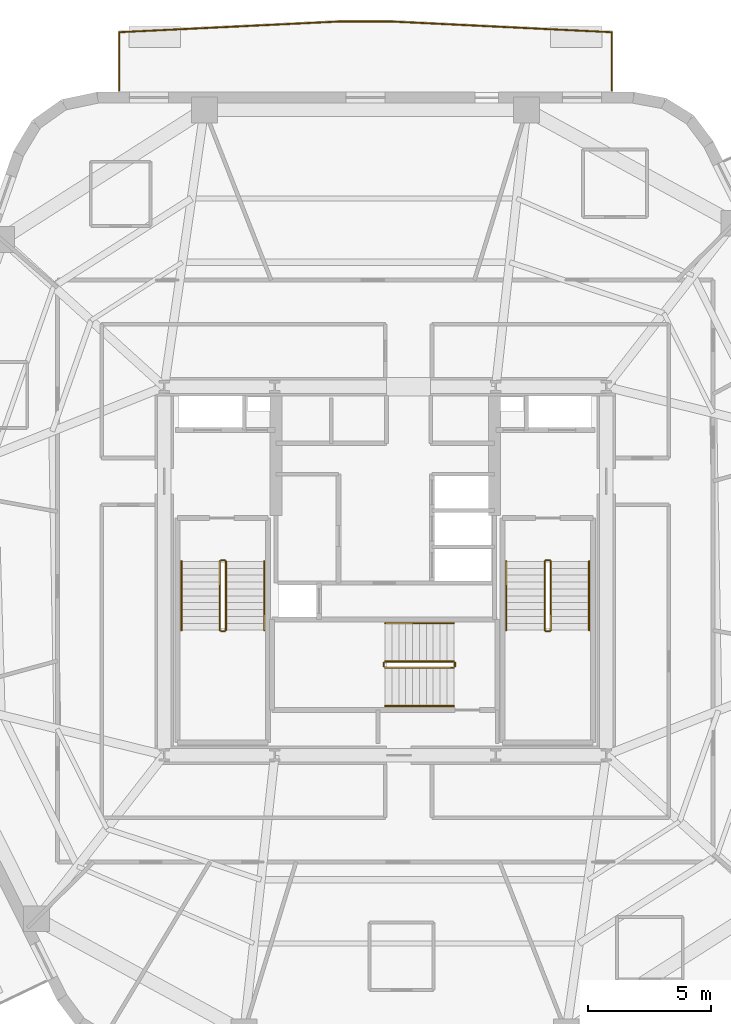
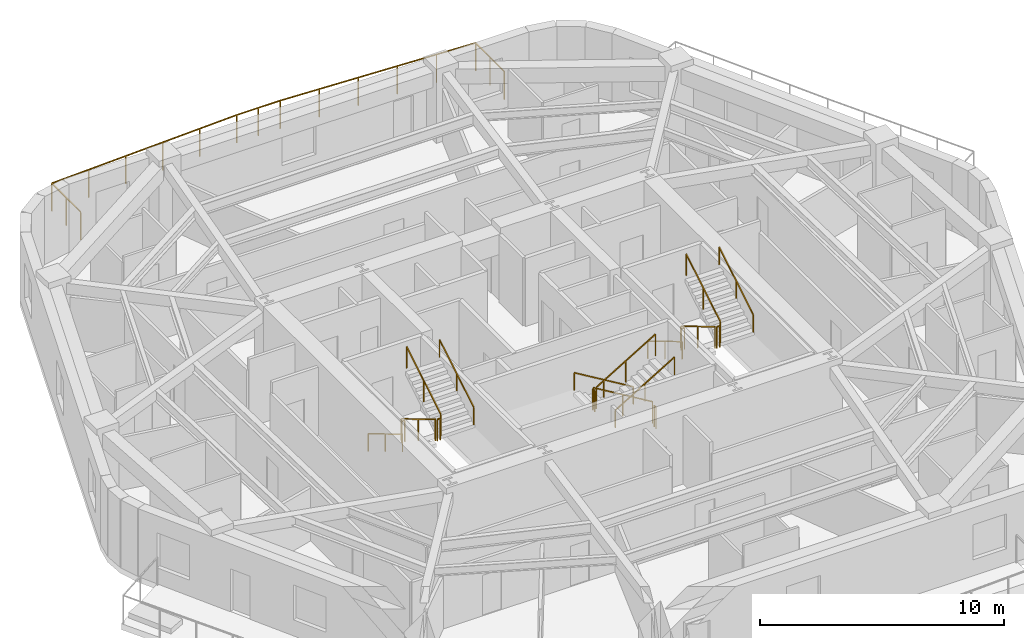
# One storey, part 9 of 10: 19 railings.
"""IFC4 building model written with IfcOpenShell, lengths in metres."""

from ifc_helpers import new_model, si_unit, direction, frame, origin, origin_2d, place, context, subcontext, project, spatial, rectangle, extrude, material, layer, layer_set, type_object, element, save


model = new_model("IFC4")

# Units and contexts
model_context = context("Model", 3, precision=1e-05, world=origin(), true_north=direction((0.0, 1.0)))
body_context = subcontext(model_context, "Body", "Model", "MODEL_VIEW")
ifc_project = project(units=[si_unit("LENGTHUNIT", "METRE"), si_unit("AREAUNIT", "SQUARE_METRE"), si_unit("VOLUMEUNIT", "CUBIC_METRE"), si_unit("PLANEANGLEUNIT", "RADIAN"), si_unit("MASSUNIT", "GRAM", prefix="KILO")], contexts=[model_context])

# Site, building, storey
site_placement = place(None, origin())
site = spatial("IfcSite", under=ifc_project, at=site_placement, CompositionType="ELEMENT")
building_placement = place(site_placement, origin())
building = spatial("IfcBuilding", under=site, at=building_placement, Name="Kilnhurst Terrace Hotel", CompositionType="ELEMENT")
storey_placement = place(building_placement, frame((0.0, 0.0, 186.699951171875)))
storey = spatial("IfcBuildingStorey", under=building, at=storey_placement, Name="L46", CompositionType="ELEMENT", Elevation=186.699951171875)

# Railings
ifc_material_1 = material(Name="Laminated SentryGlas and Stainless Steel AISI 316L Balustrade", Category="steel")
ifc_layer_1 = layer(ifc_material_1, 0.070068359375, Name="Laminated SentryGlas and Stainless Steel AISI 316L Balustrade")
ifc_layer_set_1 = layer_set([ifc_layer_1], Name="Laminated SentryGlas and Stainless Steel AISI 316L Balustrade")
railing_type_1 = type_object("IfcRailingType", Name="RLG-BAL-1420", PredefinedType="BALUSTRADE", material=ifc_layer_set_1)
railing_1_placement = place(storey_placement, frame((-10.83349609375, 19.580078125, 0.0)))
element("IfcRailing", 1, at=railing_1_placement, inside=storey, type_object=railing_type_1, Name="L46 Exterior Terrace Guardrail BAL-L1B.1", PredefinedType="BALUSTRADE", context=body_context, shape_type="SweptSolid", body=[
    extrude(rectangle(XDim=0.048095703125, YDim=0.048095703125, at=origin_2d()), frame((0.0, 0.0, 1.39599609375), z_axis=(0.0, 1.0, 0.0), x_axis=(-1.0, 0.0, 0.0)), (0.0, 0.0, 1.0), 2.36279296875),
    extrude(rectangle(XDim=0.048095703125, YDim=0.048095703125, at=origin_2d()), frame((0.0, 2.36279296875, 1.39599609375), z_axis=(0.998822813861, 0.048507592295, 0.0), x_axis=(-0.048507592295, 0.998822813861, 0.0)), (0.0, 0.0, 1.0), 9.009033203125),
    extrude(rectangle(XDim=0.048095703125, YDim=0.048095703125, at=origin_2d()), frame((8.99853515625, 2.7998046875, 1.39599609375), z_axis=(1.0, 0.0, 0.0), x_axis=(0.0, 1.0, 0.0)), (0.0, 0.0, 1.0), 2.0556640625),
    extrude(rectangle(XDim=0.048095703125, YDim=0.048095703125, at=origin_2d()), frame((11.05419921875, 2.7998046875, 1.39599609375), z_axis=(0.998822813861, -0.048507592295, 0.0), x_axis=(0.048507592295, 0.998822813861, 0.0)), (0.0, 0.0, 1.0), 9.009033203125),
    extrude(rectangle(XDim=0.048095703125, YDim=0.048095703125, at=origin_2d()), frame((20.052734375, 2.36279296875, 1.39599609375), z_axis=(0.0, -1.0, 0.0), x_axis=(1.0, 0.0, 0.0)), (0.0, 0.0, 1.0), 2.36279296875),
    extrude(rectangle(XDim=0.0419921875, YDim=0.0419921875, at=origin_2d()), origin(), (0.0, 0.0, 1.0), 1.371826171875),
    extrude(rectangle(XDim=0.0419921875, YDim=0.0419921875, at=origin_2d()), frame((0.0, 1.181396484375, 0.0)), (0.0, 0.0, 1.0), 1.371826171875),
    extrude(rectangle(XDim=0.0419921875, YDim=0.0419921875, at=origin_2d()), frame((0.0, 2.36279296875, 0.0)), (0.0, 0.0, 1.0), 1.371826171875),
    extrude(rectangle(XDim=0.0419921875, YDim=0.0419921875, at=origin_2d()), frame((1.7998046875, 2.4501953125, 0.0)), (0.0, 0.0, 1.0), 1.371826171875),
    extrude(rectangle(XDim=0.0419921875, YDim=0.0419921875, at=origin_2d()), frame((3.599365234375, 2.53759765625, 0.0)), (0.0, 0.0, 1.0), 1.371826171875),
    extrude(rectangle(XDim=0.0419921875, YDim=0.0419921875, at=origin_2d()), frame((5.399169921875, 2.625, 0.0)), (0.0, 0.0, 1.0), 1.371826171875),
    extrude(rectangle(XDim=0.0419921875, YDim=0.0419921875, at=origin_2d()), frame((7.19873046875, 2.71240234375, 0.0)), (0.0, 0.0, 1.0), 1.371826171875),
    extrude(rectangle(XDim=0.0419921875, YDim=0.0419921875, at=origin_2d()), frame((8.99853515625, 2.7998046875, 0.0)), (0.0, 0.0, 1.0), 1.371826171875),
    extrude(rectangle(XDim=0.0419921875, YDim=0.0419921875, at=origin_2d()), frame((10.0263671875, 2.7998046875, 0.0)), (0.0, 0.0, 1.0), 1.371826171875),
    extrude(rectangle(XDim=0.0419921875, YDim=0.0419921875, at=origin_2d()), frame((11.05419921875, 2.7998046875, 0.0)), (0.0, 0.0, 1.0), 1.371826171875),
    extrude(rectangle(XDim=0.0419921875, YDim=0.0419921875, at=origin_2d()), frame((12.85400390625, 2.71240234375, 0.0)), (0.0, 0.0, 1.0), 1.371826171875),
    extrude(rectangle(XDim=0.0419921875, YDim=0.0419921875, at=origin_2d()), frame((14.653564453125, 2.625, 0.0)), (0.0, 0.0, 1.0), 1.371826171875),
    extrude(rectangle(XDim=0.0419921875, YDim=0.0419921875, at=origin_2d()), frame((16.453369140625, 2.53759765625, 0.0)), (0.0, 0.0, 1.0), 1.371826171875),
    extrude(rectangle(XDim=0.0419921875, YDim=0.0419921875, at=origin_2d()), frame((18.2529296875, 2.4501953125, 0.0)), (0.0, 0.0, 1.0), 1.371826171875),
    extrude(rectangle(XDim=0.0419921875, YDim=0.0419921875, at=origin_2d()), frame((20.052734375, 2.36279296875, 0.0)), (0.0, 0.0, 1.0), 1.371826171875),
    extrude(rectangle(XDim=0.0419921875, YDim=0.0419921875, at=origin_2d()), frame((20.052734375, 1.181396484375, 0.0)), (0.0, 0.0, 1.0), 1.371826171875),
    extrude(rectangle(XDim=0.0419921875, YDim=0.0419921875, at=origin_2d()), frame((20.052734375, 0.0, 0.0)), (0.0, 0.0, 1.0), 1.371826171875),
])
ifc_material_2 = material(Name="Powder-Coated Steel ASTM A500 Grade B", Category="steel")
ifc_layer_2 = layer(ifc_material_2, 0.050048828125, Name="Powder-Coated Steel ASTM A500 Grade B")
ifc_layer_set_2 = layer_set([ifc_layer_2], Name="Powder-Coated Steel ASTM A500 Grade B")
railing_type_2 = type_object("IfcRailingType", Name="RLG-ST-GRD-1100", PredefinedType="GUARDRAIL", material=ifc_layer_set_2)
railing_2_placement = place(storey_placement, frame((-6.739990234375, 0.389892578125, 0.168212890625)))
element("IfcRailing", 2, at=railing_2_placement, inside=storey, type_object=railing_type_2, Name="L46 ST-1 stair guard 1", PredefinedType="GUARDRAIL", context=body_context, shape_type="SweptSolid", body=[
    extrude(rectangle(XDim=0.048095703125, YDim=0.048095703125, at=origin_2d()), frame((0.0, 0.0, 1.076171875), z_axis=(0.0, -0.857222391501, 0.514946377315), x_axis=(1.0, 0.0, 0.0)), (0.0, 0.0, 1.0), 3.26611328125),
    extrude(rectangle(XDim=0.0419921875, YDim=0.0419921875, at=origin_2d()), origin(), (0.0, 0.0, 1.0), 1.052001953125),
    extrude(rectangle(XDim=0.0419921875, YDim=0.0419921875, at=origin_2d()), frame((0.0, -1.39990234375, 0.8408203125)), (0.0, 0.0, 1.0), 1.052001953125),
    extrude(rectangle(XDim=0.0419921875, YDim=0.0419921875, at=origin_2d()), frame((0.0, -2.7998046875, 1.681884765625)), (0.0, 0.0, 1.0), 1.052001953125),
])
railing_3_placement = place(storey_placement, frame((-6.68994140625, -2.4599609375, 1.85009765625)))
element("IfcRailing", 3, at=railing_3_placement, inside=storey, type_object=railing_type_2, Name="L46 ST-1 stair guard 2", PredefinedType="GUARDRAIL", context=body_context, shape_type="SweptSolid", body=[
    extrude(rectangle(XDim=0.048095703125, YDim=0.048095703125, at=origin_2d()), frame((0.0, 0.0, 1.076171875), z_axis=(1.0, 0.0, 0.0), x_axis=(0.0, 1.0, 0.0)), (0.0, 0.0, 1.0), 0.14990234375),
    extrude(rectangle(XDim=0.0419921875, YDim=0.0419921875, at=origin_2d()), origin(), (0.0, 0.0, 1.0), 1.052001953125),
    extrude(rectangle(XDim=0.0419921875, YDim=0.0419921875, at=origin_2d()), frame((0.14990234375, 0.0, 0.0)), (0.0, 0.0, 1.0), 1.052001953125),
])
railing_4_placement = place(storey_placement, frame((-6.489990234375, -2.409912109375, 2.018310546875)))
element("IfcRailing", 4, at=railing_4_placement, inside=storey, type_object=railing_type_2, Name="L46 ST-1 stair guard 3", PredefinedType="GUARDRAIL", context=body_context, shape_type="SweptSolid", body=[
    extrude(rectangle(XDim=0.048095703125, YDim=0.048095703125, at=origin_2d()), frame((0.0, 0.0, 1.076171875), z_axis=(0.0, 0.857255387014, 0.514891446264), x_axis=(-1.0, 0.0, 0.0)), (0.0, 0.0, 1.0), 3.26611328125),
    extrude(rectangle(XDim=0.0419921875, YDim=0.0419921875, at=origin_2d()), origin(), (0.0, 0.0, 1.0), 1.052001953125),
    extrude(rectangle(XDim=0.0419921875, YDim=0.0419921875, at=origin_2d()), frame((0.0, 1.39990234375, 0.8408203125)), (0.0, 0.0, 1.0), 1.052001953125),
    extrude(rectangle(XDim=0.0419921875, YDim=0.0419921875, at=origin_2d()), frame((0.0, 2.7998046875, 1.681640625)), (0.0, 0.0, 1.0), 1.052001953125),
])
railing_5_placement = place(storey_placement, frame((-6.68994140625, 0.43994140625, 0.0)))
element("IfcRailing", 5, at=railing_5_placement, inside=storey, type_object=railing_type_2, Name="L46 ST-1 stair guard 4", PredefinedType="GUARDRAIL", context=body_context, shape_type="SweptSolid", body=[
    extrude(rectangle(XDim=0.048095703125, YDim=0.048095703125, at=origin_2d()), frame((0.0, 0.0, 1.076171875), z_axis=(1.0, 0.0, 0.0), x_axis=(0.0, 1.0, 0.0)), (0.0, 0.0, 1.0), 0.14990234375),
    extrude(rectangle(XDim=0.0419921875, YDim=0.0419921875, at=origin_2d()), origin(), (0.0, 0.0, 1.0), 1.052001953125),
    extrude(rectangle(XDim=0.0419921875, YDim=0.0419921875, at=origin_2d()), frame((0.14990234375, 0.0, 0.0)), (0.0, 0.0, 1.0), 1.052001953125),
])
railing_6_placement = place(storey_placement, frame((6.489990234375, 0.389892578125, 0.168212890625)))
element("IfcRailing", 6, at=railing_6_placement, inside=storey, type_object=railing_type_2, Name="L46 ST-2 stair guard 1", PredefinedType="GUARDRAIL", context=body_context, shape_type="SweptSolid", body=[
    extrude(rectangle(XDim=0.048095703125, YDim=0.048095703125, at=origin_2d()), frame((0.0, 0.0, 1.076171875), z_axis=(0.0, -0.857222391501, 0.514946377315), x_axis=(1.0, 0.0, 0.0)), (0.0, 0.0, 1.0), 3.26611328125),
    extrude(rectangle(XDim=0.0419921875, YDim=0.0419921875, at=origin_2d()), origin(), (0.0, 0.0, 1.0), 1.052001953125),
    extrude(rectangle(XDim=0.0419921875, YDim=0.0419921875, at=origin_2d()), frame((0.0, -1.39990234375, 0.8408203125)), (0.0, 0.0, 1.0), 1.052001953125),
    extrude(rectangle(XDim=0.0419921875, YDim=0.0419921875, at=origin_2d()), frame((0.0, -2.7998046875, 1.681884765625)), (0.0, 0.0, 1.0), 1.052001953125),
])
railing_7_placement = place(storey_placement, frame((6.5400390625, -2.4599609375, 1.85009765625)))
element("IfcRailing", 7, at=railing_7_placement, inside=storey, type_object=railing_type_2, Name="L46 ST-2 stair guard 2", PredefinedType="GUARDRAIL", context=body_context, shape_type="SweptSolid", body=[
    extrude(rectangle(XDim=0.048095703125, YDim=0.048095703125, at=origin_2d()), frame((0.0, 0.0, 1.076171875), z_axis=(1.0, 0.0, 0.0), x_axis=(0.0, 1.0, 0.0)), (0.0, 0.0, 1.0), 0.14990234375),
    extrude(rectangle(XDim=0.0419921875, YDim=0.0419921875, at=origin_2d()), origin(), (0.0, 0.0, 1.0), 1.052001953125),
    extrude(rectangle(XDim=0.0419921875, YDim=0.0419921875, at=origin_2d()), frame((0.14990234375, 0.0, 0.0)), (0.0, 0.0, 1.0), 1.052001953125),
])
railing_8_placement = place(storey_placement, frame((6.739990234375, -2.409912109375, 2.018310546875)))
element("IfcRailing", 8, at=railing_8_placement, inside=storey, type_object=railing_type_2, Name="L46 ST-2 stair guard 3", PredefinedType="GUARDRAIL", context=body_context, shape_type="SweptSolid", body=[
    extrude(rectangle(XDim=0.048095703125, YDim=0.048095703125, at=origin_2d()), frame((0.0, 0.0, 1.076171875), z_axis=(0.0, 0.857255387014, 0.514891446264), x_axis=(-1.0, 0.0, 0.0)), (0.0, 0.0, 1.0), 3.26611328125),
    extrude(rectangle(XDim=0.0419921875, YDim=0.0419921875, at=origin_2d()), origin(), (0.0, 0.0, 1.0), 1.052001953125),
    extrude(rectangle(XDim=0.0419921875, YDim=0.0419921875, at=origin_2d()), frame((0.0, 1.39990234375, 0.8408203125)), (0.0, 0.0, 1.0), 1.052001953125),
    extrude(rectangle(XDim=0.0419921875, YDim=0.0419921875, at=origin_2d()), frame((0.0, 2.7998046875, 1.681640625)), (0.0, 0.0, 1.0), 1.052001953125),
])
railing_9_placement = place(storey_placement, frame((6.5400390625, 0.43994140625, 0.0)))
element("IfcRailing", 9, at=railing_9_placement, inside=storey, type_object=railing_type_2, Name="L46 ST-2 stair guard 4", PredefinedType="GUARDRAIL", context=body_context, shape_type="SweptSolid", body=[
    extrude(rectangle(XDim=0.048095703125, YDim=0.048095703125, at=origin_2d()), frame((0.0, 0.0, 1.076171875), z_axis=(1.0, 0.0, 0.0), x_axis=(0.0, 1.0, 0.0)), (0.0, 0.0, 1.0), 0.14990234375),
    extrude(rectangle(XDim=0.0419921875, YDim=0.0419921875, at=origin_2d()), origin(), (0.0, 0.0, 1.0), 1.052001953125),
    extrude(rectangle(XDim=0.0419921875, YDim=0.0419921875, at=origin_2d()), frame((0.14990234375, 0.0, 0.0)), (0.0, 0.0, 1.0), 1.052001953125),
])
railing_10_placement = place(storey_placement, frame((2.7900390625, -3.68994140625, 0.168212890625)))
element("IfcRailing", 10, at=railing_10_placement, inside=storey, type_object=railing_type_2, Name="L46 ST-3 stair guard 1", PredefinedType="GUARDRAIL", context=body_context, shape_type="SweptSolid", body=[
    extrude(rectangle(XDim=0.048095703125, YDim=0.048095703125, at=origin_2d()), frame((0.0, 0.0, 1.076171875), z_axis=(-0.857242210791, 0.0, 0.514913383045), x_axis=(0.0, -1.0, 0.0)), (0.0, 0.0, 1.0), 3.266357421875),
    extrude(rectangle(XDim=0.0419921875, YDim=0.0419921875, at=origin_2d()), origin(), (0.0, 0.0, 1.0), 1.052001953125),
    extrude(rectangle(XDim=0.0419921875, YDim=0.0419921875, at=origin_2d()), frame((-1.39990234375, 0.0, 0.8408203125)), (0.0, 0.0, 1.0), 1.052001953125),
    extrude(rectangle(XDim=0.0419921875, YDim=0.0419921875, at=origin_2d()), frame((-2.800048828125, 0.0, 1.681884765625)), (0.0, 0.0, 1.0), 1.052001953125),
])
railing_11_placement = place(storey_placement, frame((-0.06005859375, -3.739990234375, 1.85009765625)))
element("IfcRailing", 11, at=railing_11_placement, inside=storey, type_object=railing_type_2, Name="L46 ST-3 stair guard 2", PredefinedType="GUARDRAIL", context=body_context, shape_type="SweptSolid", body=[
    extrude(rectangle(XDim=0.048095703125, YDim=0.048095703125, at=origin_2d()), frame((0.0, 0.0, 1.076171875), z_axis=(0.0, -1.0, 0.0), x_axis=(1.0, 0.0, 0.0)), (0.0, 0.0, 1.0), 0.14990234375),
    extrude(rectangle(XDim=0.0419921875, YDim=0.0419921875, at=origin_2d()), origin(), (0.0, 0.0, 1.0), 1.052001953125),
    extrude(rectangle(XDim=0.0419921875, YDim=0.0419921875, at=origin_2d()), frame((0.0, -0.14990234375, 0.0)), (0.0, 0.0, 1.0), 1.052001953125),
])
railing_12_placement = place(storey_placement, frame((-0.010009765625, -3.93994140625, 2.018310546875)))
element("IfcRailing", 12, at=railing_12_placement, inside=storey, type_object=railing_type_2, Name="L46 ST-3 stair guard 3", PredefinedType="GUARDRAIL", context=body_context, shape_type="SweptSolid", body=[
    extrude(rectangle(XDim=0.048095703125, YDim=0.048095703125, at=origin_2d()), frame((0.0, 0.0, 1.076171875), z_axis=(0.857275202839, 0.0, 0.514858452973), x_axis=(0.0, 1.0, 0.0)), (0.0, 0.0, 1.0), 3.26611328125),
    extrude(rectangle(XDim=0.0419921875, YDim=0.0419921875, at=origin_2d()), origin(), (0.0, 0.0, 1.0), 1.052001953125),
    extrude(rectangle(XDim=0.0419921875, YDim=0.0419921875, at=origin_2d()), frame((1.39990234375, 0.0, 0.8408203125)), (0.0, 0.0, 1.0), 1.052001953125),
    extrude(rectangle(XDim=0.0419921875, YDim=0.0419921875, at=origin_2d()), frame((2.800048828125, 0.0, 1.681640625)), (0.0, 0.0, 1.0), 1.052001953125),
])
railing_13_placement = place(storey_placement, frame((2.840087890625, -3.739990234375, 0.0)))
element("IfcRailing", 13, at=railing_13_placement, inside=storey, type_object=railing_type_2, Name="L46 ST-3 stair guard 4", PredefinedType="GUARDRAIL", context=body_context, shape_type="SweptSolid", body=[
    extrude(rectangle(XDim=0.048095703125, YDim=0.048095703125, at=origin_2d()), frame((0.0, 0.0, 1.076171875), z_axis=(0.0, -1.0, 0.0), x_axis=(1.0, 0.0, 0.0)), (0.0, 0.0, 1.0), 0.14990234375),
    extrude(rectangle(XDim=0.0419921875, YDim=0.0419921875, at=origin_2d()), origin(), (0.0, 0.0, 1.0), 1.052001953125),
    extrude(rectangle(XDim=0.0419921875, YDim=0.0419921875, at=origin_2d()), frame((0.0, -0.14990234375, 0.0)), (0.0, 0.0, 1.0), 1.052001953125),
])
ifc_material_3 = material(Name="Brushed Stainless Steel AISI 304", Category="steel")
ifc_layer_3 = layer(ifc_material_3, 0.048095703125, Name="Brushed Stainless Steel AISI 304")
ifc_layer_set_3 = layer_set([ifc_layer_3], Name="Brushed Stainless Steel AISI 304")
railing_type_3 = type_object("IfcRailingType", Name="RLG-ST-HRL-900", PredefinedType="HANDRAIL", material=ifc_layer_set_3)
railing_14_placement = place(storey_placement, frame((-8.300048828125, 0.389892578125, 0.168212890625)))
element("IfcRailing", 14, at=railing_14_placement, inside=storey, type_object=railing_type_3, Name="L46 ST-1 stair handrail 1", PredefinedType="HANDRAIL", context=body_context, shape_type="SweptSolid", body=[
    extrude(rectangle(XDim=0.048095703125, YDim=0.048095703125, at=origin_2d()), frame((0.0, 0.0, 0.8759765625), z_axis=(0.0, -0.857222391501, 0.514946377315), x_axis=(1.0, 0.0, 0.0)), (0.0, 0.0, 1.0), 3.26611328125),
    extrude(rectangle(XDim=0.0419921875, YDim=0.0419921875, at=origin_2d()), origin(), (0.0, 0.0, 1.0), 0.851806640625),
    extrude(rectangle(XDim=0.0419921875, YDim=0.0419921875, at=origin_2d()), frame((0.0, -1.39990234375, 0.8408203125)), (0.0, 0.0, 1.0), 0.851806640625),
    extrude(rectangle(XDim=0.0419921875, YDim=0.0419921875, at=origin_2d()), frame((0.0, -2.7998046875, 1.681884765625)), (0.0, 0.0, 1.0), 0.851806640625),
])
railing_15_placement = place(storey_placement, frame((-4.929931640625, -2.409912109375, 2.018310546875)))
element("IfcRailing", 15, at=railing_15_placement, inside=storey, type_object=railing_type_3, Name="L46 ST-1 stair handrail 2", PredefinedType="HANDRAIL", context=body_context, shape_type="SweptSolid", body=[
    extrude(rectangle(XDim=0.048095703125, YDim=0.048095703125, at=origin_2d()), frame((0.0, 0.0, 0.8759765625), z_axis=(0.0, 0.857255387014, 0.514891446264), x_axis=(-1.0, 0.0, 0.0)), (0.0, 0.0, 1.0), 3.26611328125),
    extrude(rectangle(XDim=0.0419921875, YDim=0.0419921875, at=origin_2d()), origin(), (0.0, 0.0, 1.0), 0.851806640625),
    extrude(rectangle(XDim=0.0419921875, YDim=0.0419921875, at=origin_2d()), frame((0.0, 1.39990234375, 0.8408203125)), (0.0, 0.0, 1.0), 0.851806640625),
    extrude(rectangle(XDim=0.0419921875, YDim=0.0419921875, at=origin_2d()), frame((0.0, 2.7998046875, 1.681640625)), (0.0, 0.0, 1.0), 0.851806640625),
])
railing_16_placement = place(storey_placement, frame((4.929931640625, 0.389892578125, 0.168212890625)))
element("IfcRailing", 16, at=railing_16_placement, inside=storey, type_object=railing_type_3, Name="L46 ST-2 stair handrail 1", PredefinedType="HANDRAIL", context=body_context, shape_type="SweptSolid", body=[
    extrude(rectangle(XDim=0.048095703125, YDim=0.048095703125, at=origin_2d()), frame((0.0, 0.0, 0.8759765625), z_axis=(0.0, -0.857222391501, 0.514946377315), x_axis=(1.0, 0.0, 0.0)), (0.0, 0.0, 1.0), 3.26611328125),
    extrude(rectangle(XDim=0.0419921875, YDim=0.0419921875, at=origin_2d()), origin(), (0.0, 0.0, 1.0), 0.851806640625),
    extrude(rectangle(XDim=0.0419921875, YDim=0.0419921875, at=origin_2d()), frame((0.0, -1.39990234375, 0.8408203125)), (0.0, 0.0, 1.0), 0.851806640625),
    extrude(rectangle(XDim=0.0419921875, YDim=0.0419921875, at=origin_2d()), frame((0.0, -2.7998046875, 1.681884765625)), (0.0, 0.0, 1.0), 0.851806640625),
])
railing_17_placement = place(storey_placement, frame((8.300048828125, -2.409912109375, 2.018310546875)))
element("IfcRailing", 17, at=railing_17_placement, inside=storey, type_object=railing_type_3, Name="L46 ST-2 stair handrail 2", PredefinedType="HANDRAIL", context=body_context, shape_type="SweptSolid", body=[
    extrude(rectangle(XDim=0.048095703125, YDim=0.048095703125, at=origin_2d()), frame((0.0, 0.0, 0.8759765625), z_axis=(0.0, 0.857255387014, 0.514891446264), x_axis=(-1.0, 0.0, 0.0)), (0.0, 0.0, 1.0), 3.26611328125),
    extrude(rectangle(XDim=0.0419921875, YDim=0.0419921875, at=origin_2d()), origin(), (0.0, 0.0, 1.0), 0.851806640625),
    extrude(rectangle(XDim=0.0419921875, YDim=0.0419921875, at=origin_2d()), frame((0.0, 1.39990234375, 0.8408203125)), (0.0, 0.0, 1.0), 0.851806640625),
    extrude(rectangle(XDim=0.0419921875, YDim=0.0419921875, at=origin_2d()), frame((0.0, 2.7998046875, 1.681640625)), (0.0, 0.0, 1.0), 0.851806640625),
])
railing_18_placement = place(storey_placement, frame((2.7900390625, -2.1298828125, 0.168212890625)))
element("IfcRailing", 18, at=railing_18_placement, inside=storey, type_object=railing_type_3, Name="L46 ST-3 stair handrail 1", PredefinedType="HANDRAIL", context=body_context, shape_type="SweptSolid", body=[
    extrude(rectangle(XDim=0.048095703125, YDim=0.048095703125, at=origin_2d()), frame((0.0, 0.0, 0.8759765625), z_axis=(-0.857242210791, 0.0, 0.514913383045), x_axis=(0.0, -1.0, 0.0)), (0.0, 0.0, 1.0), 3.266357421875),
    extrude(rectangle(XDim=0.0419921875, YDim=0.0419921875, at=origin_2d()), origin(), (0.0, 0.0, 1.0), 0.851806640625),
    extrude(rectangle(XDim=0.0419921875, YDim=0.0419921875, at=origin_2d()), frame((-1.39990234375, 0.0, 0.8408203125)), (0.0, 0.0, 1.0), 0.851806640625),
    extrude(rectangle(XDim=0.0419921875, YDim=0.0419921875, at=origin_2d()), frame((-2.800048828125, 0.0, 1.681884765625)), (0.0, 0.0, 1.0), 0.851806640625),
])
railing_19_placement = place(storey_placement, frame((-0.010009765625, -5.5, 2.018310546875)))
element("IfcRailing", 19, at=railing_19_placement, inside=storey, type_object=railing_type_3, Name="L46 ST-3 stair handrail 2", PredefinedType="HANDRAIL", context=body_context, shape_type="SweptSolid", body=[
    extrude(rectangle(XDim=0.048095703125, YDim=0.048095703125, at=origin_2d()), frame((0.0, 0.0, 0.8759765625), z_axis=(0.857275202839, 0.0, 0.514858452973), x_axis=(0.0, 1.0, 0.0)), (0.0, 0.0, 1.0), 3.26611328125),
    extrude(rectangle(XDim=0.0419921875, YDim=0.0419921875, at=origin_2d()), origin(), (0.0, 0.0, 1.0), 0.851806640625),
    extrude(rectangle(XDim=0.0419921875, YDim=0.0419921875, at=origin_2d()), frame((1.39990234375, 0.0, 0.8408203125)), (0.0, 0.0, 1.0), 0.851806640625),
    extrude(rectangle(XDim=0.0419921875, YDim=0.0419921875, at=origin_2d()), frame((2.800048828125, 0.0, 1.681640625)), (0.0, 0.0, 1.0), 0.851806640625),
])

save(model, "model.ifc")
